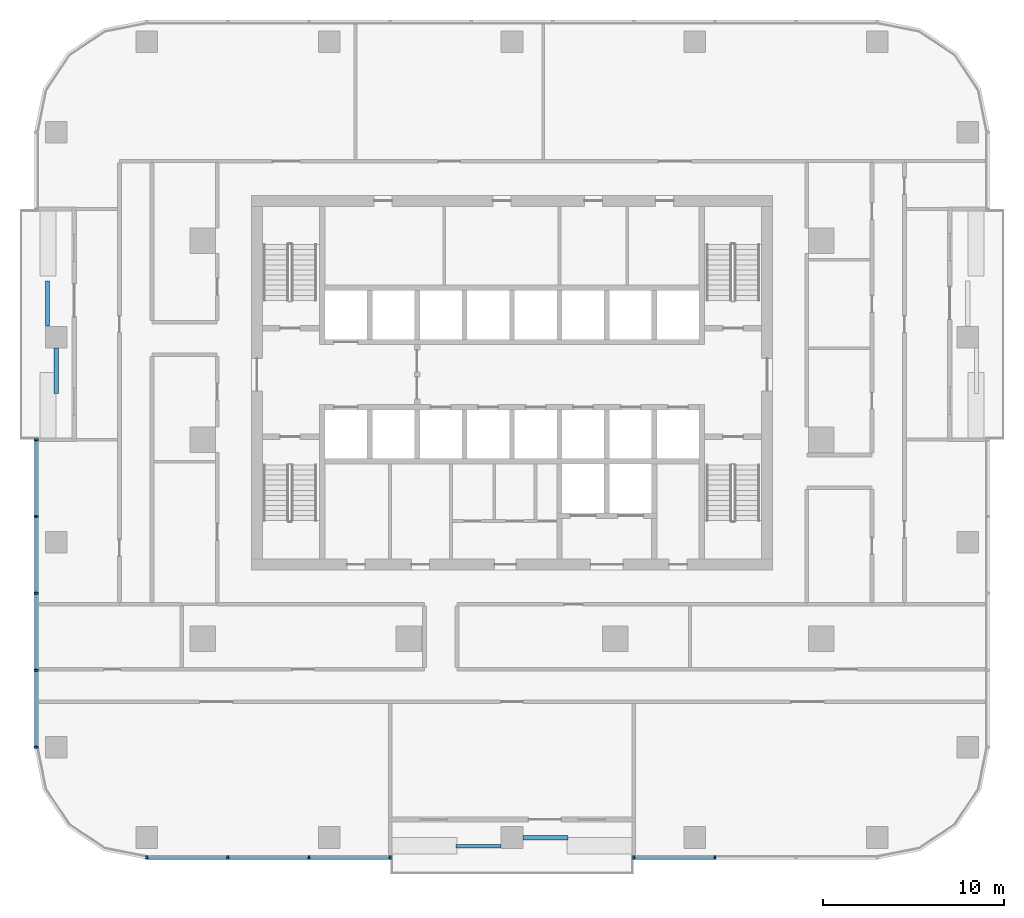
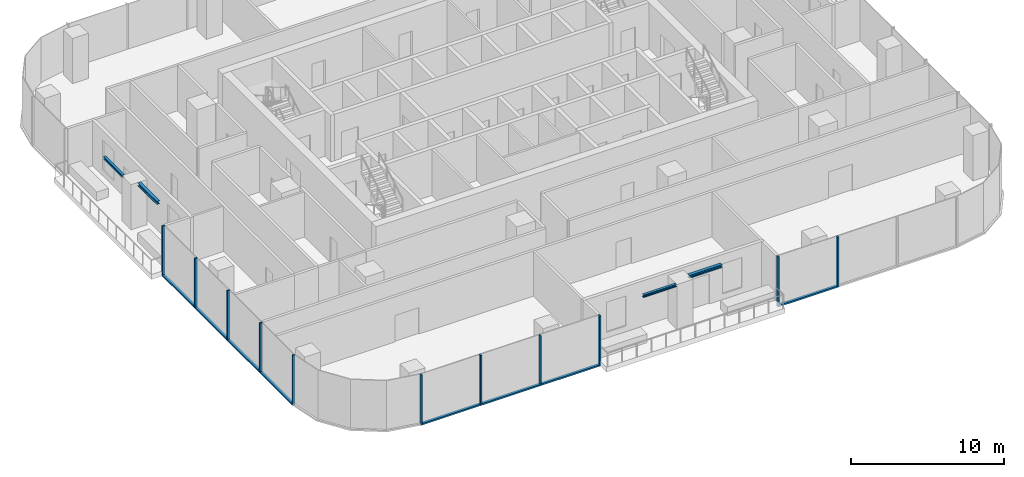
# One storey, part 2 of 15: 19 members, 4 beams, 3 elements without a shape of their own.
"""IFC4 building model written with IfcOpenShell, lengths in metres."""

from ifc_helpers import new_model, si_unit, direction, frame, origin, origin_2d, place, context, subcontext, project, spatial, rectangle, i_section, extrude, material, material_profile, profile_set, type_object, element, aggregate, save


model = new_model("IFC4")

# Units and contexts
model_context = context("Model", 3, precision=1e-05, world=origin(), true_north=direction((0.0, 1.0)))
body_context = subcontext(model_context, "Body", "Model", "MODEL_VIEW")
ifc_project = project(units=[si_unit("LENGTHUNIT", "METRE"), si_unit("AREAUNIT", "SQUARE_METRE"), si_unit("VOLUMEUNIT", "CUBIC_METRE"), si_unit("PLANEANGLEUNIT", "RADIAN"), si_unit("MASSUNIT", "GRAM", prefix="KILO")], contexts=[model_context])

# Site, building, storey
site_placement = place(None, origin())
site = spatial("IfcSite", under=ifc_project, at=site_placement, CompositionType="ELEMENT")
building_placement = place(site_placement, origin())
building = spatial("IfcBuilding", under=site, at=building_placement, Name="Mopane Tessera Tower", CompositionType="ELEMENT")
storey_placement = place(building_placement, frame((0.0, 0.0, 173.0)))
storey = spatial("IfcBuildingStorey", under=building, at=storey_placement, Name="L35", CompositionType="ELEMENT", Elevation=173.0)

# Curtain wall, members
ifc_material_1 = material(Name="Aluminium frame", Category="aluminium")
curtain_wall_type = type_object("IfcCurtainWallType", Name="Unitised curtain wall", PredefinedType="NOTDEFINED", material=ifc_material_1)
curtain_wall_1_placement = place(storey_placement, origin())
curtain_wall_1 = element("IfcCurtainWall", 1, at=curtain_wall_1_placement, inside=storey, type_object=curtain_wall_type, Name="e:cw:L35:S:0", PredefinedType="NOTDEFINED")
ifc_material_2 = material(Name="Aluminium frame", Category="aluminium")
ifc_material_profile_1 = material_profile(ifc_material_2, rectangle(XDim=0.10009765625, YDim=0.199951171875, at=origin_2d()))
ifc_profile_set_1 = profile_set([ifc_material_profile_1], Name="Aluminium frame")
member_type_1 = type_object("IfcMemberType", Name="Aluminium mullion 100 x 200", PredefinedType="MULLION", material=ifc_profile_set_1)
member_1_placement = place(storey_placement, frame((-20.199951171875, -23.10009765625, -0.39990234375), z_axis=(0.0, 0.0, 1.0), x_axis=(1.0, 0.0, 0.0)))
member_1 = element("IfcMember", 2, at=member_1_placement, type_object=member_type_1, Name="e:cw:L35:S:0:mu0", PredefinedType="MULLION", context=body_context, shape_type="SweptSolid", body=[
    extrude(rectangle(XDim=0.10009765625, YDim=0.199951171875, at=origin_2d()), origin(), (0.0, 0.0, 1.0), 4.0),
])
member_2_placement = place(storey_placement, frame((-15.711181640625, -23.10009765625, -0.39990234375), z_axis=(0.0, 0.0, 1.0), x_axis=(1.0, 0.0, 0.0)))
member_2 = element("IfcMember", 3, at=member_2_placement, type_object=member_type_1, Name="e:cw:L35:S:0:mu1", PredefinedType="MULLION", context=body_context, shape_type="SweptSolid", body=[
    extrude(rectangle(XDim=0.10009765625, YDim=0.199951171875, at=origin_2d()), origin(), (0.0, 0.0, 1.0), 4.0),
])
member_3_placement = place(storey_placement, frame((-11.22216796875, -23.10009765625, -0.39990234375), z_axis=(0.0, 0.0, 1.0), x_axis=(1.0, 0.0, 0.0)))
member_3 = element("IfcMember", 4, at=member_3_placement, type_object=member_type_1, Name="e:cw:L35:S:0:mu2", PredefinedType="MULLION", context=body_context, shape_type="SweptSolid", body=[
    extrude(rectangle(XDim=0.10009765625, YDim=0.199951171875, at=origin_2d()), origin(), (0.0, 0.0, 1.0), 4.0),
])
member_4_placement = place(storey_placement, frame((-6.7333984375, -23.10009765625, -0.39990234375), z_axis=(0.0, 0.0, 1.0), x_axis=(1.0, 0.0, 0.0)))
member_4 = element("IfcMember", 5, at=member_4_placement, type_object=member_type_1, Name="e:cw:L35:S:0:mu3", PredefinedType="MULLION", context=body_context, shape_type="SweptSolid", body=[
    extrude(rectangle(XDim=0.10009765625, YDim=0.199951171875, at=origin_2d()), origin(), (0.0, 0.0, 1.0), 4.0),
])

curtain_wall_2_placement = place(storey_placement, origin())
curtain_wall_2 = element("IfcCurtainWall", 6, at=curtain_wall_2_placement, inside=storey, type_object=curtain_wall_type, Name="e:cw:L35:S:6", PredefinedType="NOTDEFINED")
member_5_placement = place(storey_placement, frame((6.7333984375, -23.10009765625, -0.39990234375), z_axis=(0.0, 0.0, 1.0), x_axis=(1.0, 0.0, 0.0)))
member_5 = element("IfcMember", 7, at=member_5_placement, type_object=member_type_1, Name="e:cw:L35:S:6:mu6", PredefinedType="MULLION", context=body_context, shape_type="SweptSolid", body=[
    extrude(rectangle(XDim=0.10009765625, YDim=0.199951171875, at=origin_2d()), origin(), (0.0, 0.0, 1.0), 4.0),
])
member_6_placement = place(storey_placement, frame((11.22216796875, -23.10009765625, -0.39990234375), z_axis=(0.0, 0.0, 1.0), x_axis=(1.0, 0.0, 0.0)))
member_6 = element("IfcMember", 8, at=member_6_placement, type_object=member_type_1, Name="e:cw:L35:S:6:mu7", PredefinedType="MULLION", context=body_context, shape_type="SweptSolid", body=[
    extrude(rectangle(XDim=0.10009765625, YDim=0.199951171875, at=origin_2d()), origin(), (0.0, 0.0, 1.0), 4.0),
])

curtain_wall_3_placement = place(storey_placement, origin())
curtain_wall_3 = element("IfcCurtainWall", 9, at=curtain_wall_3_placement, inside=storey, type_object=curtain_wall_type, Name="e:cw:L35:W:4", PredefinedType="NOTDEFINED")
member_7_placement = place(storey_placement, frame((-26.300048828125, 0.0, -0.39990234375), z_axis=(0.0, 0.0, 1.0), x_axis=(0.0, -1.0, 0.0)))
member_7 = element("IfcMember", 10, at=member_7_placement, type_object=member_type_1, Name="e:cw:L35:W:4:mu4", PredefinedType="MULLION", context=body_context, shape_type="SweptSolid", body=[
    extrude(rectangle(XDim=0.10009765625, YDim=0.199951171875, at=origin_2d()), origin(), (0.0, 0.0, 1.0), 4.0),
])
member_8_placement = place(storey_placement, frame((-26.300048828125, -4.25, -0.39990234375), z_axis=(0.0, 0.0, 1.0), x_axis=(0.0, -1.0, 0.0)))
member_8 = element("IfcMember", 11, at=member_8_placement, type_object=member_type_1, Name="e:cw:L35:W:4:mu5", PredefinedType="MULLION", context=body_context, shape_type="SweptSolid", body=[
    extrude(rectangle(XDim=0.10009765625, YDim=0.199951171875, at=origin_2d()), origin(), (0.0, 0.0, 1.0), 4.0),
])
member_9_placement = place(storey_placement, frame((-26.300048828125, -8.5, -0.39990234375), z_axis=(0.0, 0.0, 1.0), x_axis=(0.0, -1.0, 0.0)))
member_9 = element("IfcMember", 12, at=member_9_placement, type_object=member_type_1, Name="e:cw:L35:W:4:mu6", PredefinedType="MULLION", context=body_context, shape_type="SweptSolid", body=[
    extrude(rectangle(XDim=0.10009765625, YDim=0.199951171875, at=origin_2d()), origin(), (0.0, 0.0, 1.0), 4.0),
])
member_10_placement = place(storey_placement, frame((-26.300048828125, -12.75, -0.39990234375), z_axis=(0.0, 0.0, 1.0), x_axis=(0.0, -1.0, 0.0)))
member_10 = element("IfcMember", 13, at=member_10_placement, type_object=member_type_1, Name="e:cw:L35:W:4:mu7", PredefinedType="MULLION", context=body_context, shape_type="SweptSolid", body=[
    extrude(rectangle(XDim=0.10009765625, YDim=0.199951171875, at=origin_2d()), origin(), (0.0, 0.0, 1.0), 4.0),
])
member_11_placement = place(storey_placement, frame((-26.300048828125, -17.0, -0.39990234375), z_axis=(0.0, 0.0, 1.0), x_axis=(0.0, -1.0, 0.0)))
member_11 = element("IfcMember", 14, at=member_11_placement, type_object=member_type_1, Name="e:cw:L35:W:4:mu8", PredefinedType="MULLION", context=body_context, shape_type="SweptSolid", body=[
    extrude(rectangle(XDim=0.10009765625, YDim=0.199951171875, at=origin_2d()), origin(), (0.0, 0.0, 1.0), 4.0),
])

# Member
ifc_material_3 = material(Name="Aluminium frame", Category="aluminium")
ifc_material_profile_2 = material_profile(ifc_material_3, rectangle(XDim=0.199951171875, YDim=0.1201171875, at=origin_2d()))
ifc_profile_set_2 = profile_set([ifc_material_profile_2], Name="Aluminium frame")
member_type_2 = type_object("IfcMemberType", Name="Aluminium transom 200 x 120", PredefinedType="USERDEFINED", material=ifc_profile_set_2)
member_12_placement = place(storey_placement, frame((-20.14990234375, -23.10009765625, -0.340087890625), z_axis=(1.0, 0.0, 0.0), x_axis=(0.0, 1.0, 0.0)))
member_12 = element("IfcMember", 15, at=member_12_placement, type_object=member_type_2, Name="e:cw:L35:S:0:tr0", ObjectType="TRANSOM", PredefinedType="USERDEFINED", context=body_context, shape_type="SweptSolid", body=[
    extrude(rectangle(XDim=0.199951171875, YDim=0.1201171875, at=origin_2d()), origin(), (0.0, 0.0, 1.0), 4.388671875),
])

member_13_placement = place(storey_placement, frame((-15.6611328125, -23.10009765625, -0.340087890625), z_axis=(1.0, 0.0, 0.0), x_axis=(0.0, 1.0, 0.0)))
member_13 = element("IfcMember", 16, at=member_13_placement, type_object=member_type_2, Name="e:cw:L35:S:0:tr1", ObjectType="TRANSOM", PredefinedType="USERDEFINED", context=body_context, shape_type="SweptSolid", body=[
    extrude(rectangle(XDim=0.199951171875, YDim=0.1201171875, at=origin_2d()), origin(), (0.0, 0.0, 1.0), 4.388916015625),
])

member_14_placement = place(storey_placement, frame((-11.172119140625, -23.10009765625, -0.340087890625), z_axis=(1.0, 0.0, 0.0), x_axis=(0.0, 1.0, 0.0)))
member_14 = element("IfcMember", 17, at=member_14_placement, type_object=member_type_2, Name="e:cw:L35:S:0:tr2", ObjectType="TRANSOM", PredefinedType="USERDEFINED", context=body_context, shape_type="SweptSolid", body=[
    extrude(rectangle(XDim=0.199951171875, YDim=0.1201171875, at=origin_2d()), origin(), (0.0, 0.0, 1.0), 4.388671875),
])

aggregate(curtain_wall_1, [member_1, member_2, member_3, member_4, member_12, member_13, member_14])

member_15_placement = place(storey_placement, frame((6.783447265625, -23.10009765625, -0.340087890625), z_axis=(1.0, 0.0, 0.0), x_axis=(0.0, 1.0, 0.0)))
member_15 = element("IfcMember", 18, at=member_15_placement, type_object=member_type_2, Name="e:cw:L35:S:6:tr6", ObjectType="TRANSOM", PredefinedType="USERDEFINED", context=body_context, shape_type="SweptSolid", body=[
    extrude(rectangle(XDim=0.199951171875, YDim=0.1201171875, at=origin_2d()), origin(), (0.0, 0.0, 1.0), 4.388671875),
])

aggregate(curtain_wall_2, [member_5, member_6, member_15])

member_16_placement = place(storey_placement, frame((-26.300048828125, -0.050048828125, -0.340087890625), z_axis=(0.0, -1.0, 0.0), x_axis=(1.0, 0.0, 0.0)))
member_16 = element("IfcMember", 19, at=member_16_placement, type_object=member_type_2, Name="e:cw:L35:W:4:tr4", ObjectType="TRANSOM", PredefinedType="USERDEFINED", context=body_context, shape_type="SweptSolid", body=[
    extrude(rectangle(XDim=0.199951171875, YDim=0.1201171875, at=origin_2d()), origin(), (0.0, 0.0, 1.0), 4.14990234375),
])

member_17_placement = place(storey_placement, frame((-26.300048828125, -4.300048828125, -0.340087890625), z_axis=(0.0, -1.0, 0.0), x_axis=(1.0, 0.0, 0.0)))
member_17 = element("IfcMember", 20, at=member_17_placement, type_object=member_type_2, Name="e:cw:L35:W:4:tr5", ObjectType="TRANSOM", PredefinedType="USERDEFINED", context=body_context, shape_type="SweptSolid", body=[
    extrude(rectangle(XDim=0.199951171875, YDim=0.1201171875, at=origin_2d()), origin(), (0.0, 0.0, 1.0), 4.14990234375),
])

member_18_placement = place(storey_placement, frame((-26.300048828125, -8.550048828125, -0.340087890625), z_axis=(0.0, -1.0, 0.0), x_axis=(1.0, 0.0, 0.0)))
member_18 = element("IfcMember", 21, at=member_18_placement, type_object=member_type_2, Name="e:cw:L35:W:4:tr6", ObjectType="TRANSOM", PredefinedType="USERDEFINED", context=body_context, shape_type="SweptSolid", body=[
    extrude(rectangle(XDim=0.199951171875, YDim=0.1201171875, at=origin_2d()), origin(), (0.0, 0.0, 1.0), 4.14990234375),
])

member_19_placement = place(storey_placement, frame((-26.300048828125, -12.800048828125, -0.340087890625), z_axis=(0.0, -1.0, 0.0), x_axis=(1.0, 0.0, 0.0)))
member_19 = element("IfcMember", 22, at=member_19_placement, type_object=member_type_2, Name="e:cw:L35:W:4:tr7", ObjectType="TRANSOM", PredefinedType="USERDEFINED", context=body_context, shape_type="SweptSolid", body=[
    extrude(rectangle(XDim=0.199951171875, YDim=0.1201171875, at=origin_2d()), origin(), (0.0, 0.0, 1.0), 4.14990234375),
])

aggregate(curtain_wall_3, [member_7, member_8, member_9, member_10, member_11, member_16, member_17, member_18, member_19])

# Beams
ifc_material_4 = material(Name="Structural steel S460", Category="steel")
ifc_material_profile_3 = material_profile(ifc_material_4, i_section(OverallWidth=0.239990234375, OverallDepth=0.239990234375, WebThickness=0.010009765625, FlangeThickness=0.01708984375, FilletRadius=0.02099609375, at=origin_2d()))
ifc_profile_set_3 = profile_set([ifc_material_profile_3], Name="Structural steel S460")
beam_type_1 = type_object("IfcBeamType", Name="Terrace spandrel beam HE 240 B", PredefinedType="SPANDREL", material=ifc_profile_set_3)
for number, where, z_axis, x_axis, name in (
    (23, (-25.199951171875, 5.063720703125, 3.47998046875), (0.0, -1.0, 0.0), (1.0, 0.0, 0.0), "Terrace spandrel beam N1 L36"),
    (24, (0.60302734375, -22.0, 3.47998046875), (1.0, 0.0, 0.0), (0.0, 1.0, 0.0), "Terrace spandrel beam N2 L36"),
):
    element("IfcBeam", number, at=place(storey_placement, frame(where, z_axis=z_axis, x_axis=x_axis)), inside=storey, type_object=beam_type_1, Name=name, PredefinedType="SPANDREL", context=body_context, shape_type="SweptSolid", body=[
        extrude(i_section(OverallWidth=0.239990234375, OverallDepth=0.239990234375, WebThickness=0.010009765625, FlangeThickness=0.01708984375, FilletRadius=0.02099609375, at=origin_2d()), origin(), (0.0, 0.0, 1.0), 2.5),
    ])
ifc_material_5 = material(Name="Structural steel S460", Category="steel")
ifc_material_profile_4 = material_profile(ifc_material_5, i_section(OverallWidth=0.199951171875, OverallDepth=0.199951171875, WebThickness=0.009033203125, FlangeThickness=0.014892578125, FilletRadius=0.01806640625, at=origin_2d()))
ifc_profile_set_4 = profile_set([ifc_material_profile_4], Name="Structural steel S460")
beam_type_2 = type_object("IfcBeamType", Name="Terrace trimmer beam HE 200 B", PredefinedType="BEAM", material=ifc_profile_set_4)
for number, where, z_axis, x_axis, name in (
    (25, (-25.679931640625, 6.269775390625, 3.5), (0.0, 1.0, 0.0), (-1.0, 0.0, 0.0), "Terrace trimmer beam N1 L36"),
    (26, (-0.60302734375, -22.47998046875, 3.5), (-1.0, 0.0, 0.0), (0.0, -1.0, 0.0), "Terrace trimmer beam N2 L36"),
):
    element("IfcBeam", number, at=place(storey_placement, frame(where, z_axis=z_axis, x_axis=x_axis)), inside=storey, type_object=beam_type_2, Name=name, PredefinedType="BEAM", context=body_context, shape_type="SweptSolid", body=[
        extrude(i_section(OverallWidth=0.199951171875, OverallDepth=0.199951171875, WebThickness=0.009033203125, FlangeThickness=0.014892578125, FilletRadius=0.01806640625, at=origin_2d()), origin(), (0.0, 0.0, 1.0), 2.5),
    ])

save(model, "model.ifc")
